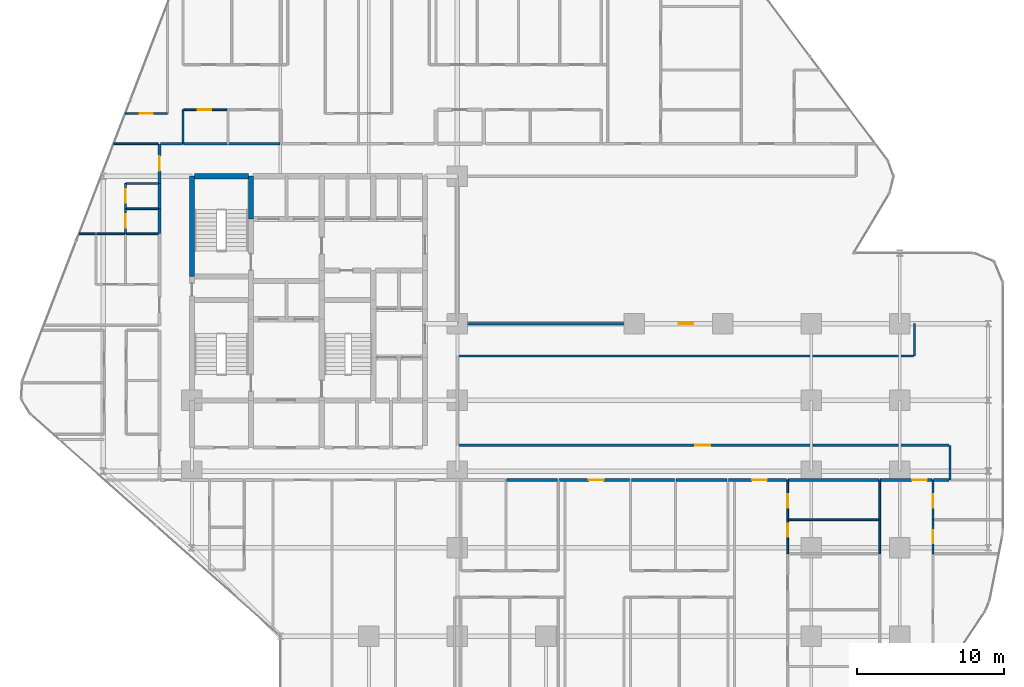
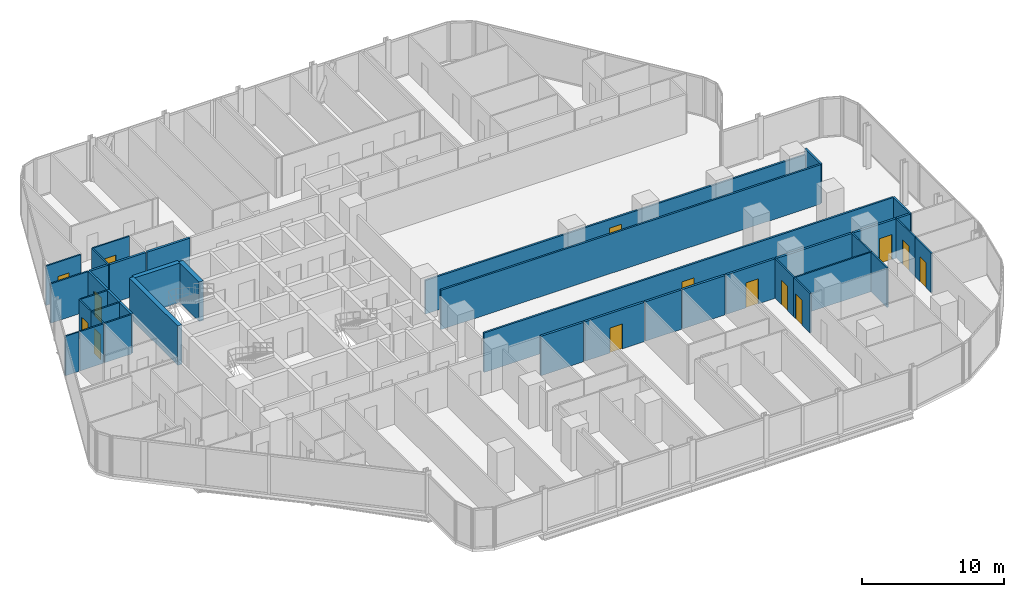
# One storey, part 29 of 33: 40 walls, 14 doors, 14 openings.
"""IFC4 building model written with IfcOpenShell, lengths in metres."""

from ifc_helpers import new_model, si_unit, direction, frame, frame_2d, origin, place, context, subcontext, project, spatial, rectangle, extrude, material, layer, layer_set, type_object, element, fill, save


model = new_model("IFC4")

# Units and contexts
model_context = context("Model", 3, precision=1e-05, world=origin(), true_north=direction((0.0, 1.0)))
body_context = subcontext(model_context, "Body", "Model", "MODEL_VIEW")
ifc_project = project(units=[si_unit("LENGTHUNIT", "METRE"), si_unit("AREAUNIT", "SQUARE_METRE"), si_unit("VOLUMEUNIT", "CUBIC_METRE"), si_unit("PLANEANGLEUNIT", "RADIAN"), si_unit("MASSUNIT", "GRAM", prefix="KILO")], contexts=[model_context])

# Site, building, storey
site_placement = place(None, origin())
site = spatial("IfcSite", under=ifc_project, at=site_placement, CompositionType="ELEMENT")
building_placement = place(site_placement, origin())
building = spatial("IfcBuilding", under=site, at=building_placement, Name="Keshet Zoharim Tower", CompositionType="ELEMENT")
storey_placement = place(building_placement, frame((0.0, 0.0, 49.89990234375)))
storey = spatial("IfcBuildingStorey", under=building, at=storey_placement, Name="L11", CompositionType="ELEMENT", Elevation=49.89990234375)

# Walls
ifc_material_1 = material(Name="Gypsum Plasterboard", Category="gypsum")
ifc_layer_1 = layer(ifc_material_1, 0.14990234375)
ifc_layer_set_1 = layer_set([ifc_layer_1], Name="Gypsum Plasterboard")
wall_type_1 = type_object("IfcWallType", Name="WL-CLIN-150", PredefinedType="STANDARD", material=ifc_layer_set_1)
wall_1_placement = place(storey_placement, frame((64.0, 25.699951171875, 0.0), z_axis=(0.0, 0.0, 1.0), x_axis=(0.0, 1.0, 0.0)))
element("IfcWall", 1, at=wall_1_placement, inside=storey, type_object=wall_type_1, Name="L11 Interior Wall 114", PredefinedType="STANDARD", context=body_context, shape_type="SweptSolid", body=[
    extrude(rectangle(XDim=2.199951171875, YDim=0.14990234375, at=frame_2d((1.10009765625, 0.0))), origin(), (0.0, 0.0, 1.0), 3.385009765625),
])
wall_2_placement = place(storey_placement, frame((66.39990234375, 17.31005859375, 0.0), z_axis=(0.0, 0.0, 1.0), x_axis=(0.0, 1.0, 0.0)))
element("IfcWall", 2, at=wall_2_placement, inside=storey, type_object=wall_type_1, Name="L11 Interior Wall 118", PredefinedType="STANDARD", context=body_context, shape_type="SweptSolid", body=[
    extrude(rectangle(XDim=2.33984375, YDim=0.14990234375, at=frame_2d((1.169921875, 0.0))), origin(), (0.0, 0.0, 1.0), 3.385009765625),
])

# Wall, opening, door
wall_3_placement = place(storey_placement, frame((33.070068359375, 19.64990234375, 0.0), z_axis=(0.0, 0.0, 1.0), x_axis=(1.0, 0.0, 0.0)))
wall_3 = element("IfcWall", 3, at=wall_3_placement, inside=storey, type_object=wall_type_1, Name="L11 Interior Wall 158", PredefinedType="STANDARD", context=body_context, shape_type="SweptSolid", body=[
    extrude(rectangle(XDim=33.27001953125, YDim=0.14990234375, at=frame_2d((16.635009765625, 0.0))), origin(), (0.0, 0.0, 1.0), 3.385009765625),
])
opening_1_placement = place(wall_3_placement, frame((16.06494140625, 0.0, 0.0)))
opening_1 = element("IfcOpeningElement", 4, at=opening_1_placement, cuts=wall_3, Name="Opening D-F310", PredefinedType="OPENING", context=body_context, shape_type="SweptSolid", body=[
    extrude(rectangle(XDim=1.0, YDim=2.14990234375, at=frame_2d((0.5, 1.074951171875))), frame((0.0, 0.0849609375, 0.0), z_axis=(0.0, -1.0, 0.0), x_axis=(1.0, 0.0, 0.0)), (0.0, 0.0, 1.0), 0.169921875),
])
ifc_material_2 = material(Name="Hardwood Timber", Category="wood")
door_type_1 = type_object("IfcDoorType", Name="DR-FD30-100", OperationType="NOTDEFINED", PredefinedType="DOOR", material=ifc_material_2)
door_1_placement = place(opening_1_placement, origin())
door_1 = element("IfcDoor", 5, at=door_1_placement, inside=storey, type_object=door_type_1, Name="L11 North East Residents Services Suite Door 1", OperationType="SINGLE_SWING_LEFT", OverallHeight=2.14990234375, OverallWidth=1.0, PredefinedType="DOOR", context=body_context, shape_type="SweptSolid", body=[
    extrude(rectangle(XDim=1.0, YDim=2.14990234375, at=frame_2d((0.5, 1.074951171875))), frame((0.0, 0.02490234375, 0.0), z_axis=(0.0, -1.0, 0.0), x_axis=(1.0, 0.0, 0.0)), (0.0, 0.0, 1.0), 0.050048828125),
])
fill(opening_1, door_1)

# Wall
wall_4_placement = place(storey_placement, frame((33.070068359375, 25.699951171875, 0.0), z_axis=(0.0, 0.0, 1.0), x_axis=(1.0, 0.0, 0.0)))
element("IfcWall", 6, at=wall_4_placement, inside=storey, type_object=wall_type_1, Name="L11 Interior Wall 170", PredefinedType="STANDARD", context=body_context, shape_type="SweptSolid", body=[
    extrude(rectangle(XDim=30.869873046875, YDim=0.14990234375, at=frame_2d((15.43505859375, 0.0))), origin(), (0.0, 0.0, 1.0), 3.385009765625),
])

# Wall, opening, door
wall_5_placement = place(storey_placement, frame((33.070068359375, 27.89990234375, 0.0), z_axis=(0.0, 0.0, 1.0), x_axis=(1.0, 0.0, 0.0)))
wall_5 = element("IfcWall", 7, at=wall_5_placement, inside=storey, type_object=wall_type_1, Name="L11 Interior Wall 175", PredefinedType="STANDARD", context=body_context, shape_type="SweptSolid", body=[
    extrude(rectangle(XDim=30.869873046875, YDim=0.14990234375, at=frame_2d((15.43505859375, 0.0))), origin(), (0.0, 0.0, 1.0), 2.885009765625),
])
opening_2_placement = place(wall_5_placement, frame((14.93505859375, 0.0, 0.0)))
opening_2 = element("IfcOpeningElement", 8, at=opening_2_placement, cuts=wall_5, Name="Opening D-F310", PredefinedType="OPENING", context=body_context, shape_type="SweptSolid", body=[
    extrude(rectangle(XDim=1.0, YDim=2.14990234375, at=frame_2d((0.5, 1.074951171875))), frame((0.0, 0.0849609375, 0.0), z_axis=(0.0, -1.0, 0.0), x_axis=(1.0, 0.0, 0.0)), (0.0, 0.0, 1.0), 0.169921875),
])
door_2_placement = place(opening_2_placement, origin())
door_2 = element("IfcDoor", 9, at=door_2_placement, inside=storey, type_object=door_type_1, Name="L11 North East Residents Services Suite Door 2", OperationType="SINGLE_SWING_LEFT", OverallHeight=2.14990234375, OverallWidth=1.0, PredefinedType="DOOR", context=body_context, shape_type="SweptSolid", body=[
    extrude(rectangle(XDim=1.0, YDim=2.14990234375, at=frame_2d((0.5, 1.074951171875))), frame((0.0, 0.02490234375, 0.0), z_axis=(0.0, -1.0, 0.0), x_axis=(1.0, 0.0, 0.0)), (0.0, 0.0, 1.0), 0.050048828125),
])
fill(opening_2, door_2)

# Walls
ifc_material_3 = material(Name="Concrete C60/75", Category="concrete")
ifc_layer_2 = layer(ifc_material_3, 0.35009765625)
ifc_layer_set_2 = layer_set([ifc_layer_2], Name="Concrete C60/75")
wall_type_2 = type_object("IfcWallType", Name="WL-CORE-350", PredefinedType="SHEAR", material=ifc_layer_set_2)
wall_6_placement = place(storey_placement, frame((15.0, 31.10009765625, 0.0), z_axis=(0.0, 0.0, 1.0), x_axis=(0.0, 1.0, 0.0)))
element("IfcWall", 10, at=wall_6_placement, inside=storey, type_object=wall_type_2, Name="L11 Core Shear Wall 022", PredefinedType="SHEAR", context=body_context, shape_type="SweptSolid", body=[
    extrude(rectangle(XDim=6.7998046875, YDim=0.35009765625, at=frame_2d((3.39990234375, 0.0))), origin(), (0.0, 0.0, 1.0), 3.385009765625),
])
wall_7_placement = place(storey_placement, frame((19.0, 35.0, 0.0), z_axis=(0.0, 0.0, 1.0), x_axis=(0.0, 1.0, 0.0)))
element("IfcWall", 11, at=wall_7_placement, inside=storey, type_object=wall_type_2, Name="L11 Core Shear Wall 033", PredefinedType="SHEAR", context=body_context, shape_type="SweptSolid", body=[
    extrude(rectangle(XDim=2.89990234375, YDim=0.35009765625, at=frame_2d((1.449951171875, 0.0))), origin(), (0.0, 0.0, 1.0), 3.385009765625),
])
wall_8_placement = place(storey_placement, frame((15.159912109375, 37.89990234375, 0.0), z_axis=(0.0, 0.0, 1.0), x_axis=(1.0, 0.0, 0.0)))
element("IfcWall", 12, at=wall_8_placement, inside=storey, type_object=wall_type_2, Name="L11 Core Shear Wall 192", PredefinedType="SHEAR", context=body_context, shape_type="SweptSolid", body=[
    extrude(rectangle(XDim=3.68017578125, YDim=0.35009765625, at=frame_2d((1.840087890625, 0.0))), origin(), (0.0, 0.0, 1.0), 3.385009765625),
])
ifc_layer_3 = layer(ifc_material_1, 0.179931640625)
ifc_layer_set_3 = layer_set([ifc_layer_3], Name="Gypsum Plasterboard")
wall_type_3 = type_object("IfcWallType", Name="WL-CORR-180", PredefinedType="STANDARD", material=ifc_layer_set_3)
for number, where, z_axis, x_axis, name in (
    (13, (12.800048828125, 34.0, 0.0), (0.0, 0.0, 1.0), (0.0, 1.0, 0.0), "L11 Interior Wall 013"),
    (14, (12.800048828125, 35.7080078125, 0.0), (0.0, 0.0, 1.0), (0.0, 1.0, 0.0), "L11 Interior Wall 014"),
):
    element("IfcWall", number, at=place(storey_placement, frame(where, z_axis=z_axis, x_axis=x_axis)), inside=storey, type_object=wall_type_3, Name=name, PredefinedType="STANDARD", context=body_context, shape_type="SweptSolid", body=[
        extrude(rectangle(XDim=1.7080078125, YDim=0.179931640625, at=frame_2d((0.85400390625, 0.0))), origin(), (0.0, 0.0, 1.0), 3.385009765625),
    ])

# Wall, opening, door
wall_9_placement = place(storey_placement, frame((12.800048828125, 37.416015625, 0.0), z_axis=(0.0, 0.0, 1.0), x_axis=(0.0, 1.0, 0.0)))
wall_9 = element("IfcWall", 15, at=wall_9_placement, inside=storey, type_object=wall_type_3, Name="L11 Interior Wall 015", PredefinedType="STANDARD", context=body_context, shape_type="SweptSolid", body=[
    extrude(rectangle(XDim=2.68408203125, YDim=0.179931640625, at=frame_2d((1.342041015625, 0.0))), origin(), (0.0, 0.0, 1.0), 3.385009765625),
])
opening_3_placement = place(wall_9_placement, frame((0.842041015625, 0.0, 0.0)))
opening_3 = element("IfcOpeningElement", 16, at=opening_3_placement, cuts=wall_9, Name="Opening D-F310", PredefinedType="OPENING", context=body_context, shape_type="SweptSolid", body=[
    extrude(rectangle(XDim=1.0, YDim=2.14990234375, at=frame_2d((0.5, 1.074951171875))), frame((0.0, 0.10009765625, 0.0), z_axis=(0.0, -1.0, 0.0), x_axis=(1.0, 0.0, 0.0)), (0.0, 0.0, 1.0), 0.199951171875),
])
door_3_placement = place(opening_3_placement, origin())
door_3 = element("IfcDoor", 17, at=door_3_placement, inside=storey, type_object=door_type_1, Name="Apartment 1112 Entrance Door", OperationType="SINGLE_SWING_LEFT", OverallHeight=2.14990234375, OverallWidth=1.0, PredefinedType="DOOR", context=body_context, shape_type="SweptSolid", body=[
    extrude(rectangle(XDim=1.0, YDim=2.14990234375, at=frame_2d((0.5, 1.074951171875))), frame((0.0, 0.02490234375, 0.0), z_axis=(0.0, -1.0, 0.0), x_axis=(1.0, 0.0, 0.0)), (0.0, 0.0, 1.0), 0.050048828125),
])
fill(opening_3, door_3)

# Wall
wall_10_placement = place(storey_placement, frame((36.3369140625, 17.300048828125, 0.0), z_axis=(0.0, 0.0, 1.0), x_axis=(1.0, 0.0, 0.0)))
element("IfcWall", 18, at=wall_10_placement, inside=storey, type_object=wall_type_3, Name="L11 Interior Wall 145", PredefinedType="STANDARD", context=body_context, shape_type="SweptSolid", body=[
    extrude(rectangle(XDim=3.4580078125, YDim=0.179931640625, at=frame_2d((1.72900390625, 0.0))), origin(), (0.0, 0.0, 1.0), 3.385009765625),
])

# Wall, opening, door
wall_11_placement = place(storey_placement, frame((39.885009765625, 17.300048828125, 0.0), z_axis=(0.0, 0.0, 1.0), x_axis=(1.0, 0.0, 0.0)))
wall_11 = element("IfcWall", 19, at=wall_11_placement, inside=storey, type_object=wall_type_3, Name="L11 Interior Wall 146", PredefinedType="STANDARD", context=body_context, shape_type="SweptSolid", body=[
    extrude(rectangle(XDim=4.830078125, YDim=0.179931640625, at=frame_2d((2.4150390625, 0.0))), origin(), (0.0, 0.0, 1.0), 3.385009765625),
])
opening_4_placement = place(wall_11_placement, frame((2.04296875, 0.0, 0.0)))
opening_4 = element("IfcOpeningElement", 20, at=opening_4_placement, cuts=wall_11, Name="Opening D-F310", PredefinedType="OPENING", context=body_context, shape_type="SweptSolid", body=[
    extrude(rectangle(XDim=1.0, YDim=2.14990234375, at=frame_2d((0.5, 1.074951171875))), frame((0.0, 0.10009765625, 0.0), z_axis=(0.0, -1.0, 0.0), x_axis=(1.0, 0.0, 0.0)), (0.0, 0.0, 1.0), 0.199951171875),
])
door_4_placement = place(opening_4_placement, origin())
door_4 = element("IfcDoor", 21, at=door_4_placement, inside=storey, type_object=door_type_1, Name="Apartment 1103 Entrance Door", OperationType="SINGLE_SWING_LEFT", OverallHeight=2.14990234375, OverallWidth=1.0, PredefinedType="DOOR", context=body_context, shape_type="SweptSolid", body=[
    extrude(rectangle(XDim=1.0, YDim=2.14990234375, at=frame_2d((0.5, 1.074951171875))), frame((0.0, 0.02490234375, 0.0), z_axis=(0.0, -1.0, 0.0), x_axis=(1.0, 0.0, 0.0)), (0.0, 0.0, 1.0), 0.050048828125),
])
fill(opening_4, door_4)

# Walls
wall_12_placement = place(storey_placement, frame((44.804931640625, 17.300048828125, 0.0), z_axis=(0.0, 0.0, 1.0), x_axis=(1.0, 0.0, 0.0)))
element("IfcWall", 22, at=wall_12_placement, inside=storey, type_object=wall_type_3, Name="L11 Interior Wall 147", PredefinedType="STANDARD", context=body_context, shape_type="SweptSolid", body=[
    extrude(rectangle(XDim=2.93212890625, YDim=0.179931640625, at=frame_2d((1.466064453125, 0.0))), origin(), (0.0, 0.0, 1.0), 3.385009765625),
])
wall_13_placement = place(storey_placement, frame((47.826904296875, 17.300048828125, 0.0), z_axis=(0.0, 0.0, 1.0), x_axis=(1.0, 0.0, 0.0)))
element("IfcWall", 23, at=wall_13_placement, inside=storey, type_object=wall_type_3, Name="L11 Interior Wall 148", PredefinedType="STANDARD", context=body_context, shape_type="SweptSolid", body=[
    extrude(rectangle(XDim=3.4580078125, YDim=0.179931640625, at=frame_2d((1.72900390625, 0.0))), origin(), (0.0, 0.0, 1.0), 3.385009765625),
])

# Wall, opening, door
wall_14_placement = place(storey_placement, frame((51.375, 17.300048828125, 0.0), z_axis=(0.0, 0.0, 1.0), x_axis=(1.0, 0.0, 0.0)))
wall_14 = element("IfcWall", 24, at=wall_14_placement, inside=storey, type_object=wall_type_3, Name="L11 Interior Wall 149", PredefinedType="STANDARD", context=body_context, shape_type="SweptSolid", body=[
    extrude(rectangle(XDim=3.9599609375, YDim=0.179931640625, at=frame_2d((1.97998046875, 0.0))), origin(), (0.0, 0.0, 1.0), 3.385009765625),
])
opening_5_placement = place(wall_14_placement, frame((1.60888671875, 0.0, 0.0)))
opening_5 = element("IfcOpeningElement", 25, at=opening_5_placement, cuts=wall_14, Name="Opening D-F310", PredefinedType="OPENING", context=body_context, shape_type="SweptSolid", body=[
    extrude(rectangle(XDim=1.0, YDim=2.14990234375, at=frame_2d((0.5, 1.074951171875))), frame((0.0, 0.10009765625, 0.0), z_axis=(0.0, -1.0, 0.0), x_axis=(1.0, 0.0, 0.0)), (0.0, 0.0, 1.0), 0.199951171875),
])
door_5_placement = place(opening_5_placement, origin())
door_5 = element("IfcDoor", 26, at=door_5_placement, inside=storey, type_object=door_type_1, Name="Apartment 1104 Entrance Door", OperationType="SINGLE_SWING_RIGHT", OverallHeight=2.14990234375, OverallWidth=1.0, PredefinedType="DOOR", context=body_context, shape_type="SweptSolid", body=[
    extrude(rectangle(XDim=1.0, YDim=2.14990234375, at=frame_2d((0.5, 1.074951171875))), frame((0.0, 0.02490234375, 0.0), z_axis=(0.0, -1.0, 0.0), x_axis=(1.0, 0.0, 0.0)), (0.0, 0.0, 1.0), 0.050048828125),
])
fill(opening_5, door_5)

# Wall
wall_15_placement = place(storey_placement, frame((55.425048828125, 17.300048828125, 0.0), z_axis=(0.0, 0.0, 1.0), x_axis=(1.0, 0.0, 0.0)))
element("IfcWall", 27, at=wall_15_placement, inside=storey, type_object=wall_type_3, Name="L11 Interior Wall 150", PredefinedType="STANDARD", context=body_context, shape_type="SweptSolid", body=[
    extrude(rectangle(XDim=6.159912109375, YDim=0.179931640625, at=frame_2d((3.080078125, 0.0))), origin(), (0.0, 0.0, 1.0), 3.385009765625),
])

# Wall, opening, door
wall_16_placement = place(storey_placement, frame((61.675048828125, 17.300048828125, 0.0), z_axis=(0.0, 0.0, 1.0), x_axis=(1.0, 0.0, 0.0)))
wall_16 = element("IfcWall", 28, at=wall_16_placement, inside=storey, type_object=wall_type_3, Name="L11 Interior Wall 151", PredefinedType="STANDARD", context=body_context, shape_type="SweptSolid", body=[
    extrude(rectangle(XDim=3.510009765625, YDim=0.179931640625, at=frame_2d((1.7548828125, 0.0))), origin(), (0.0, 0.0, 1.0), 3.385009765625),
])
opening_6_placement = place(wall_16_placement, frame((2.1650390625, 0.0, 0.0)))
opening_6 = element("IfcOpeningElement", 29, at=opening_6_placement, cuts=wall_16, Name="Opening D-F310", PredefinedType="OPENING", context=body_context, shape_type="SweptSolid", body=[
    extrude(rectangle(XDim=1.0, YDim=2.14990234375, at=frame_2d((0.5, 1.074951171875))), frame((0.0, 0.10009765625, 0.0), z_axis=(0.0, -1.0, 0.0), x_axis=(1.0, 0.0, 0.0)), (0.0, 0.0, 1.0), 0.199951171875),
])
door_6_placement = place(opening_6_placement, origin())
door_6 = element("IfcDoor", 30, at=door_6_placement, inside=storey, type_object=door_type_1, Name="Apartment 1105 Entrance Door", OperationType="SINGLE_SWING_LEFT", OverallHeight=2.14990234375, OverallWidth=1.0, PredefinedType="DOOR", context=body_context, shape_type="SweptSolid", body=[
    extrude(rectangle(XDim=1.0, YDim=2.14990234375, at=frame_2d((0.5, 1.074951171875))), frame((0.0, 0.02490234375, 0.0), z_axis=(0.0, -1.0, 0.0), x_axis=(1.0, 0.0, 0.0)), (0.0, 0.0, 1.0), 0.050048828125),
])
fill(opening_6, door_6)

# Walls
wall_17_placement = place(storey_placement, frame((65.27490234375, 17.300048828125, 0.0), z_axis=(0.0, 0.0, 1.0), x_axis=(1.0, 0.0, 0.0)))
element("IfcWall", 31, at=wall_17_placement, inside=storey, type_object=wall_type_3, Name="L11 Interior Wall 152", PredefinedType="STANDARD", context=body_context, shape_type="SweptSolid", body=[
    extrude(rectangle(XDim=1.065185546875, YDim=0.179931640625, at=frame_2d((0.53271484375, 0.0))), origin(), (0.0, 0.0, 1.0), 3.385009765625),
])
wall_18_placement = place(storey_placement, frame((12.875, 40.10009765625, 0.0), z_axis=(0.0, 0.0, 1.0), x_axis=(1.0, 0.0, 0.0)))
element("IfcWall", 32, at=wall_18_placement, inside=storey, type_object=wall_type_3, Name="L11 Interior Wall 196", PredefinedType="STANDARD", context=body_context, shape_type="SweptSolid", body=[
    extrude(rectangle(XDim=1.47998046875, YDim=0.179931640625, at=frame_2d((0.739990234375, 0.0))), origin(), (0.0, 0.0, 1.0), 3.385009765625),
])
wall_19_placement = place(storey_placement, frame((14.445068359375, 40.10009765625, 0.0), z_axis=(0.0, 0.0, 1.0), x_axis=(1.0, 0.0, 0.0)))
element("IfcWall", 33, at=wall_19_placement, inside=storey, type_object=wall_type_3, Name="L11 Interior Wall 197", PredefinedType="STANDARD", context=body_context, shape_type="SweptSolid", body=[
    extrude(rectangle(XDim=2.9599609375, YDim=0.179931640625, at=frame_2d((1.47998046875, 0.0))), origin(), (0.0, 0.0, 1.0), 3.385009765625),
])
wall_20_placement = place(storey_placement, frame((17.4951171875, 40.10009765625, 0.0), z_axis=(0.0, 0.0, 1.0), x_axis=(1.0, 0.0, 0.0)))
element("IfcWall", 34, at=wall_20_placement, inside=storey, type_object=wall_type_3, Name="L11 Interior Wall 198", PredefinedType="STANDARD", context=body_context, shape_type="SweptSolid", body=[
    extrude(rectangle(XDim=3.489990234375, YDim=0.179931640625, at=frame_2d((1.7451171875, 0.0))), origin(), (0.0, 0.0, 1.0), 3.385009765625),
])

# Wall, opening, door
ifc_layer_4 = layer(ifc_material_1, 0.1201171875)
ifc_layer_set_4 = layer_set([ifc_layer_4], Name="Gypsum Plasterboard")
wall_type_4 = type_object("IfcWallType", Name="WL-PART-120", PredefinedType="PARTITIONING", material=ifc_layer_set_4)
wall_21_placement = place(storey_placement, frame((10.5, 34.0, 0.0), z_axis=(0.0, 0.0, 1.0), x_axis=(0.0, 1.0, 0.0)))
wall_21 = element("IfcWall", 35, at=wall_21_placement, inside=storey, type_object=wall_type_4, Name="L11 Interior Wall 004", PredefinedType="PARTITIONING", context=body_context, shape_type="SweptSolid", body=[
    extrude(rectangle(XDim=1.7080078125, YDim=0.1201171875, at=frame_2d((0.85400390625, 0.0))), origin(), (0.0, 0.0, 1.0), 3.385009765625),
])
opening_7_placement = place(wall_21_placement, frame((0.404052734375, 0.0, 0.0)))
opening_7 = element("IfcOpeningElement", 36, at=opening_7_placement, cuts=wall_21, Name="Opening D-IN90", PredefinedType="OPENING", context=body_context, shape_type="SweptSolid", body=[
    extrude(rectangle(XDim=0.89990234375, YDim=2.14990234375, at=frame_2d((0.449951171875, 1.074951171875))), frame((0.0, 0.070068359375, 0.0), z_axis=(0.0, -1.0, 0.0), x_axis=(1.0, 0.0, 0.0)), (0.0, 0.0, 1.0), 0.14013671875),
])
door_type_2 = type_object("IfcDoorType", Name="DR-INT-090", OperationType="NOTDEFINED", PredefinedType="DOOR", material=ifc_material_2)
door_7_placement = place(opening_7_placement, origin())
door_7 = element("IfcDoor", 37, at=door_7_placement, inside=storey, type_object=door_type_2, Name="Apartment 1112 Kitchenette Door", OperationType="SINGLE_SWING_LEFT", OverallHeight=2.14990234375, OverallWidth=0.89990234375, PredefinedType="DOOR", context=body_context, shape_type="SweptSolid", body=[
    extrude(rectangle(XDim=0.89990234375, YDim=2.14990234375, at=frame_2d((0.449951171875, 1.074951171875))), frame((0.0, 0.02490234375, 0.0), z_axis=(0.0, -1.0, 0.0), x_axis=(1.0, 0.0, 0.0)), (0.0, 0.0, 1.0), 0.050048828125),
])
fill(opening_7, door_7)

# Wall
wall_22_placement = place(storey_placement, frame((14.39990234375, 40.10009765625, 0.0), z_axis=(0.0, 0.0, 1.0), x_axis=(0.0, 1.0, 0.0)))
element("IfcWall", 38, at=wall_22_placement, inside=storey, type_object=wall_type_4, Name="L11 Interior Wall 017", PredefinedType="PARTITIONING", context=body_context, shape_type="SweptSolid", body=[
    extrude(rectangle(XDim=2.2998046875, YDim=0.1201171875, at=frame_2d((1.14990234375, 0.0))), origin(), (0.0, 0.0, 1.0), 3.385009765625),
])

# Wall, opening, door
wall_23_placement = place(storey_placement, frame((55.39990234375, 12.300048828125, 0.0), z_axis=(0.0, 0.0, 1.0), x_axis=(0.0, 1.0, 0.0)))
wall_23 = element("IfcWall", 39, at=wall_23_placement, inside=storey, type_object=wall_type_4, Name="L11 Interior Wall 106", PredefinedType="PARTITIONING", context=body_context, shape_type="SweptSolid", body=[
    extrude(rectangle(XDim=2.300048828125, YDim=0.1201171875, at=frame_2d((1.14990234375, 0.0))), origin(), (0.0, 0.0, 1.0), 3.385009765625),
])
opening_8_placement = place(wall_23_placement, frame((1.14208984375, 0.0, 0.0)))
opening_8 = element("IfcOpeningElement", 40, at=opening_8_placement, cuts=wall_23, Name="Opening D-IN90", PredefinedType="OPENING", context=body_context, shape_type="SweptSolid", body=[
    extrude(rectangle(XDim=0.89990234375, YDim=2.14990234375, at=frame_2d((0.449951171875, 1.074951171875))), frame((0.0, 0.070068359375, 0.0), z_axis=(0.0, -1.0, 0.0), x_axis=(1.0, 0.0, 0.0)), (0.0, 0.0, 1.0), 0.14013671875),
])
door_8_placement = place(opening_8_placement, origin())
door_8 = element("IfcDoor", 41, at=door_8_placement, inside=storey, type_object=door_type_2, Name="Apartment 1104 Kitchen Door", OperationType="SINGLE_SWING_RIGHT", OverallHeight=2.14990234375, OverallWidth=0.89990234375, PredefinedType="DOOR", context=body_context, shape_type="SweptSolid", body=[
    extrude(rectangle(XDim=0.89990234375, YDim=2.14990234375, at=frame_2d((0.449951171875, 1.074951171875))), frame((0.0, 0.02490234375, 0.0), z_axis=(0.0, -1.0, 0.0), x_axis=(1.0, 0.0, 0.0)), (0.0, 0.0, 1.0), 0.050048828125),
])
fill(opening_8, door_8)

# Wall
wall_24_placement = place(storey_placement, frame((61.64990234375, 12.300048828125, 0.0), z_axis=(0.0, 0.0, 1.0), x_axis=(0.0, 1.0, 0.0)))
element("IfcWall", 42, at=wall_24_placement, inside=storey, type_object=wall_type_4, Name="L11 Interior Wall 112", PredefinedType="PARTITIONING", context=body_context, shape_type="SweptSolid", body=[
    extrude(rectangle(XDim=2.300048828125, YDim=0.1201171875, at=frame_2d((1.14990234375, 0.0))), origin(), (0.0, 0.0, 1.0), 3.385009765625),
])

# Wall, opening, door
wall_25_placement = place(storey_placement, frame((65.25, 12.300048828125, 0.0), z_axis=(0.0, 0.0, 1.0), x_axis=(0.0, 1.0, 0.0)))
wall_25 = element("IfcWall", 43, at=wall_25_placement, inside=storey, type_object=wall_type_4, Name="L11 Interior Wall 116", PredefinedType="PARTITIONING", context=body_context, shape_type="SweptSolid", body=[
    extrude(rectangle(XDim=2.300048828125, YDim=0.1201171875, at=frame_2d((1.14990234375, 0.0))), origin(), (0.0, 0.0, 1.0), 3.385009765625),
])
opening_9_placement = place(wall_25_placement, frame((0.699951171875, 0.0, 0.0)))
opening_9 = element("IfcOpeningElement", 44, at=opening_9_placement, cuts=wall_25, Name="Opening D-IN90", PredefinedType="OPENING", context=body_context, shape_type="SweptSolid", body=[
    extrude(rectangle(XDim=0.89990234375, YDim=2.14990234375, at=frame_2d((0.449951171875, 1.074951171875))), frame((0.0, 0.070068359375, 0.0), z_axis=(0.0, -1.0, 0.0), x_axis=(1.0, 0.0, 0.0)), (0.0, 0.0, 1.0), 0.14013671875),
])
door_9_placement = place(opening_9_placement, origin())
door_9 = element("IfcDoor", 45, at=door_9_placement, inside=storey, type_object=door_type_2, Name="Apartment 1105 Kitchen Door", OperationType="SINGLE_SWING_LEFT", OverallHeight=2.14990234375, OverallWidth=0.89990234375, PredefinedType="DOOR", context=body_context, shape_type="SweptSolid", body=[
    extrude(rectangle(XDim=0.89990234375, YDim=2.14990234375, at=frame_2d((0.449951171875, 1.074951171875))), frame((0.0, 0.02490234375, 0.0), z_axis=(0.0, -1.0, 0.0), x_axis=(1.0, 0.0, 0.0)), (0.0, 0.0, 1.0), 0.050048828125),
])
fill(opening_9, door_9)

# Walls
wall_26_placement = place(storey_placement, frame((7.35595703125, 34.0, 0.0), z_axis=(0.0, 0.0, 1.0), x_axis=(1.0, 0.0, 0.0)))
element("IfcWall", 46, at=wall_26_placement, inside=storey, type_object=wall_type_4, Name="L11 Interior Wall 186", PredefinedType="PARTITIONING", context=body_context, shape_type="SweptSolid", body=[
    extrude(rectangle(XDim=1.09912109375, YDim=0.1201171875, at=frame_2d((0.549560546875, 0.0))), origin(), (0.0, 0.0, 1.0), 3.385009765625),
])
wall_27_placement = place(storey_placement, frame((8.544921875, 34.0, 0.0), z_axis=(0.0, 0.0, 1.0), x_axis=(1.0, 0.0, 0.0)))
element("IfcWall", 47, at=wall_27_placement, inside=storey, type_object=wall_type_4, Name="L11 Interior Wall 187", PredefinedType="PARTITIONING", context=body_context, shape_type="SweptSolid", body=[
    extrude(rectangle(XDim=1.88818359375, YDim=0.1201171875, at=frame_2d((0.944091796875, 0.0))), origin(), (0.0, 0.0, 1.0), 3.385009765625),
])
wall_28_placement = place(storey_placement, frame((9.701904296875, 40.10009765625, 0.0), z_axis=(0.0, 0.0, 1.0), x_axis=(1.0, 0.0, 0.0)))
element("IfcWall", 48, at=wall_28_placement, inside=storey, type_object=wall_type_4, Name="L11 Interior Wall 195", PredefinedType="PARTITIONING", context=body_context, shape_type="SweptSolid", body=[
    extrude(rectangle(XDim=3.023193359375, YDim=0.1201171875, at=frame_2d((1.51171875, 0.0))), origin(), (0.0, 0.0, 1.0), 3.385009765625),
])

# Wall, opening, door
wall_29_placement = place(storey_placement, frame((10.490966796875, 42.14990234375, 0.0), z_axis=(0.0, 0.0, 1.0), x_axis=(1.0, 0.0, 0.0)))
wall_29 = element("IfcWall", 49, at=wall_29_placement, inside=storey, type_object=wall_type_4, Name="L11 Interior Wall 209", PredefinedType="PARTITIONING", context=body_context, shape_type="SweptSolid", body=[
    extrude(rectangle(XDim=2.828125, YDim=0.1201171875, at=frame_2d((1.4140625, 0.0))), origin(), (0.0, 0.0, 1.0), 3.385009765625),
])
opening_10_placement = place(wall_29_placement, frame((0.962890625, 0.0, 0.0)))
opening_10 = element("IfcOpeningElement", 50, at=opening_10_placement, cuts=wall_29, Name="Opening D-IN90", PredefinedType="OPENING", context=body_context, shape_type="SweptSolid", body=[
    extrude(rectangle(XDim=0.89990234375, YDim=2.14990234375, at=frame_2d((0.449951171875, 1.074951171875))), frame((0.0, 0.070068359375, 0.0), z_axis=(0.0, -1.0, 0.0), x_axis=(1.0, 0.0, 0.0)), (0.0, 0.0, 1.0), 0.14013671875),
])
door_10_placement = place(opening_10_placement, origin())
door_10 = element("IfcDoor", 51, at=door_10_placement, inside=storey, type_object=door_type_2, Name="Apartment 1106 Home Study Room Door", OperationType="SINGLE_SWING_LEFT", OverallHeight=2.14990234375, OverallWidth=0.89990234375, PredefinedType="DOOR", context=body_context, shape_type="SweptSolid", body=[
    extrude(rectangle(XDim=0.89990234375, YDim=2.14990234375, at=frame_2d((0.449951171875, 1.074951171875))), frame((0.0, 0.02490234375, 0.0), z_axis=(0.0, -1.0, 0.0), x_axis=(1.0, 0.0, 0.0)), (0.0, 0.0, 1.0), 0.050048828125),
])
fill(opening_10, door_10)

wall_30_placement = place(storey_placement, frame((14.445068359375, 42.39990234375, 0.0), z_axis=(0.0, 0.0, 1.0), x_axis=(1.0, 0.0, 0.0)))
wall_30 = element("IfcWall", 52, at=wall_30_placement, inside=storey, type_object=wall_type_4, Name="L11 Interior Wall 211", PredefinedType="PARTITIONING", context=body_context, shape_type="SweptSolid", body=[
    extrude(rectangle(XDim=2.9599609375, YDim=0.1201171875, at=frame_2d((1.47998046875, 0.0))), origin(), (0.0, 0.0, 1.0), 3.385009765625),
])
opening_11_placement = place(wall_30_placement, frame((0.9560546875, 0.0, 0.0)))
opening_11 = element("IfcOpeningElement", 53, at=opening_11_placement, cuts=wall_30, Name="Opening D-IN90", PredefinedType="OPENING", context=body_context, shape_type="SweptSolid", body=[
    extrude(rectangle(XDim=0.89990234375, YDim=2.14990234375, at=frame_2d((0.449951171875, 1.074951171875))), frame((0.0, 0.070068359375, 0.0), z_axis=(0.0, -1.0, 0.0), x_axis=(1.0, 0.0, 0.0)), (0.0, 0.0, 1.0), 0.14013671875),
])
door_11_placement = place(opening_11_placement, origin())
door_11 = element("IfcDoor", 54, at=door_11_placement, inside=storey, type_object=door_type_2, Name="Apartment 1106 Kitchen Door", OperationType="SINGLE_SWING_RIGHT", OverallHeight=2.14990234375, OverallWidth=0.89990234375, PredefinedType="DOOR", context=body_context, shape_type="SweptSolid", body=[
    extrude(rectangle(XDim=0.89990234375, YDim=2.14990234375, at=frame_2d((0.449951171875, 1.074951171875))), frame((0.0, 0.02490234375, 0.0), z_axis=(0.0, -1.0, 0.0), x_axis=(1.0, 0.0, 0.0)), (0.0, 0.0, 1.0), 0.050048828125),
])
fill(opening_11, door_11)

ifc_layer_5 = layer(ifc_material_1, 0.1201171875)
ifc_layer_set_5 = layer_set([ifc_layer_5], Name="Gypsum Plasterboard")
wall_type_5 = type_object("IfcWallType", Name="WL-WET-120", PredefinedType="PARTITIONING", material=ifc_layer_set_5)
wall_31_placement = place(storey_placement, frame((10.5, 35.7080078125, 0.0), z_axis=(0.0, 0.0, 1.0), x_axis=(0.0, 1.0, 0.0)))
wall_31 = element("IfcWall", 55, at=wall_31_placement, inside=storey, type_object=wall_type_5, Name="L11 Interior Wall 005", PredefinedType="PARTITIONING", context=body_context, shape_type="SweptSolid", body=[
    extrude(rectangle(XDim=1.7080078125, YDim=0.1201171875, at=frame_2d((0.85400390625, 0.0))), origin(), (0.0, 0.0, 1.0), 3.385009765625),
])
opening_12_placement = place(wall_31_placement, frame((0.404052734375, 0.0, 0.0)))
opening_12 = element("IfcOpeningElement", 56, at=opening_12_placement, cuts=wall_31, Name="Opening D-WT90", PredefinedType="OPENING", context=body_context, shape_type="SweptSolid", body=[
    extrude(rectangle(XDim=0.89990234375, YDim=2.10009765625, at=frame_2d((0.449951171875, 1.050048828125))), frame((0.0, 0.070068359375, 0.0), z_axis=(0.0, -1.0, 0.0), x_axis=(1.0, 0.0, 0.0)), (0.0, 0.0, 1.0), 0.14013671875),
])
door_type_3 = type_object("IfcDoorType", Name="DR-WET-090", OperationType="NOTDEFINED", PredefinedType="DOOR", material=ifc_material_2)
door_12_placement = place(opening_12_placement, origin())
door_12 = element("IfcDoor", 57, at=door_12_placement, inside=storey, type_object=door_type_3, Name="Apartment 1112 Bathroom Door", OperationType="SINGLE_SWING_RIGHT", OverallHeight=2.10009765625, OverallWidth=0.89990234375, PredefinedType="DOOR", context=body_context, shape_type="SweptSolid", body=[
    extrude(rectangle(XDim=0.89990234375, YDim=2.10009765625, at=frame_2d((0.449951171875, 1.050048828125))), frame((0.0, 0.02490234375, 0.0), z_axis=(0.0, -1.0, 0.0), x_axis=(1.0, 0.0, 0.0)), (0.0, 0.0, 1.0), 0.050048828125),
])
fill(opening_12, door_12)

wall_32_placement = place(storey_placement, frame((55.39990234375, 14.60009765625, 0.0), z_axis=(0.0, 0.0, 1.0), x_axis=(0.0, 1.0, 0.0)))
wall_32 = element("IfcWall", 58, at=wall_32_placement, inside=storey, type_object=wall_type_5, Name="L11 Interior Wall 107", PredefinedType="PARTITIONING", context=body_context, shape_type="SweptSolid", body=[
    extrude(rectangle(XDim=2.699951171875, YDim=0.1201171875, at=frame_2d((1.35009765625, 0.0))), origin(), (0.0, 0.0, 1.0), 3.385009765625),
])
opening_13_placement = place(wall_32_placement, frame((0.827880859375, 0.0, 0.0)))
opening_13 = element("IfcOpeningElement", 59, at=opening_13_placement, cuts=wall_32, Name="Opening D-WT90", PredefinedType="OPENING", context=body_context, shape_type="SweptSolid", body=[
    extrude(rectangle(XDim=0.89990234375, YDim=2.10009765625, at=frame_2d((0.449951171875, 1.050048828125))), frame((0.0, 0.070068359375, 0.0), z_axis=(0.0, -1.0, 0.0), x_axis=(1.0, 0.0, 0.0)), (0.0, 0.0, 1.0), 0.14013671875),
])
door_13_placement = place(opening_13_placement, origin())
door_13 = element("IfcDoor", 60, at=door_13_placement, inside=storey, type_object=door_type_3, Name="Apartment 1104 Bathroom Door", OperationType="SINGLE_SWING_LEFT", OverallHeight=2.10009765625, OverallWidth=0.89990234375, PredefinedType="DOOR", context=body_context, shape_type="SweptSolid", body=[
    extrude(rectangle(XDim=0.89990234375, YDim=2.10009765625, at=frame_2d((0.449951171875, 1.050048828125))), frame((0.0, 0.02490234375, 0.0), z_axis=(0.0, -1.0, 0.0), x_axis=(1.0, 0.0, 0.0)), (0.0, 0.0, 1.0), 0.050048828125),
])
fill(opening_13, door_13)

# Wall
wall_33_placement = place(storey_placement, frame((61.64990234375, 14.60009765625, 0.0), z_axis=(0.0, 0.0, 1.0), x_axis=(0.0, 1.0, 0.0)))
element("IfcWall", 61, at=wall_33_placement, inside=storey, type_object=wall_type_5, Name="L11 Interior Wall 113", PredefinedType="PARTITIONING", context=body_context, shape_type="SweptSolid", body=[
    extrude(rectangle(XDim=2.699951171875, YDim=0.1201171875, at=frame_2d((1.35009765625, 0.0))), origin(), (0.0, 0.0, 1.0), 3.385009765625),
])

# Wall, opening, door
wall_34_placement = place(storey_placement, frame((65.25, 14.60009765625, 0.0), z_axis=(0.0, 0.0, 1.0), x_axis=(0.0, 1.0, 0.0)))
wall_34 = element("IfcWall", 62, at=wall_34_placement, inside=storey, type_object=wall_type_5, Name="L11 Interior Wall 117", PredefinedType="PARTITIONING", context=body_context, shape_type="SweptSolid", body=[
    extrude(rectangle(XDim=2.699951171875, YDim=0.1201171875, at=frame_2d((1.35009765625, 0.0))), origin(), (0.0, 0.0, 1.0), 3.385009765625),
])
opening_14_placement = place(wall_34_placement, frame((0.827880859375, 0.0, 0.0)))
opening_14 = element("IfcOpeningElement", 63, at=opening_14_placement, cuts=wall_34, Name="Opening D-WT90", PredefinedType="OPENING", context=body_context, shape_type="SweptSolid", body=[
    extrude(rectangle(XDim=0.89990234375, YDim=2.10009765625, at=frame_2d((0.449951171875, 1.050048828125))), frame((0.0, 0.070068359375, 0.0), z_axis=(0.0, -1.0, 0.0), x_axis=(1.0, 0.0, 0.0)), (0.0, 0.0, 1.0), 0.14013671875),
])
door_14_placement = place(opening_14_placement, origin())
door_14 = element("IfcDoor", 64, at=door_14_placement, inside=storey, type_object=door_type_3, Name="Apartment 1105 Bathroom Door", OperationType="SINGLE_SWING_RIGHT", OverallHeight=2.10009765625, OverallWidth=0.89990234375, PredefinedType="DOOR", context=body_context, shape_type="SweptSolid", body=[
    extrude(rectangle(XDim=0.89990234375, YDim=2.10009765625, at=frame_2d((0.449951171875, 1.050048828125))), frame((0.0, 0.02490234375, 0.0), z_axis=(0.0, -1.0, 0.0), x_axis=(1.0, 0.0, 0.0)), (0.0, 0.0, 1.0), 0.050048828125),
])
fill(opening_14, door_14)

# Walls
wall_35_placement = place(storey_placement, frame((55.425048828125, 14.60009765625, 0.0), z_axis=(0.0, 0.0, 1.0), x_axis=(1.0, 0.0, 0.0)))
element("IfcWall", 65, at=wall_35_placement, inside=storey, type_object=wall_type_5, Name="L11 Interior Wall 135", PredefinedType="PARTITIONING", context=body_context, shape_type="SweptSolid", body=[
    extrude(rectangle(XDim=6.159912109375, YDim=0.1201171875, at=frame_2d((3.080078125, 0.0))), origin(), (0.0, 0.0, 1.0), 3.385009765625),
])
for number, where, z_axis, x_axis, name in (
    (66, (10.544921875, 34.0, 0.0), (0.0, 0.0, 1.0), (1.0, 0.0, 0.0), "L11 Interior Wall 188"),
    (67, (10.544921875, 35.699951171875, 0.0), (0.0, 0.0, 1.0), (1.0, 0.0, 0.0), "L11 Interior Wall 190"),
    (68, (10.544921875, 37.39990234375, 0.0), (0.0, 0.0, 1.0), (1.0, 0.0, 0.0), "L11 Interior Wall 191"),
):
    element("IfcWall", number, at=place(storey_placement, frame(where, z_axis=z_axis, x_axis=x_axis)), inside=storey, type_object=wall_type_5, Name=name, PredefinedType="PARTITIONING", context=body_context, shape_type="SweptSolid", body=[
        extrude(rectangle(XDim=2.18017578125, YDim=0.1201171875, at=frame_2d((1.090087890625, 0.0))), origin(), (0.0, 0.0, 1.0), 3.385009765625),
    ])

save(model, "model.ifc")
